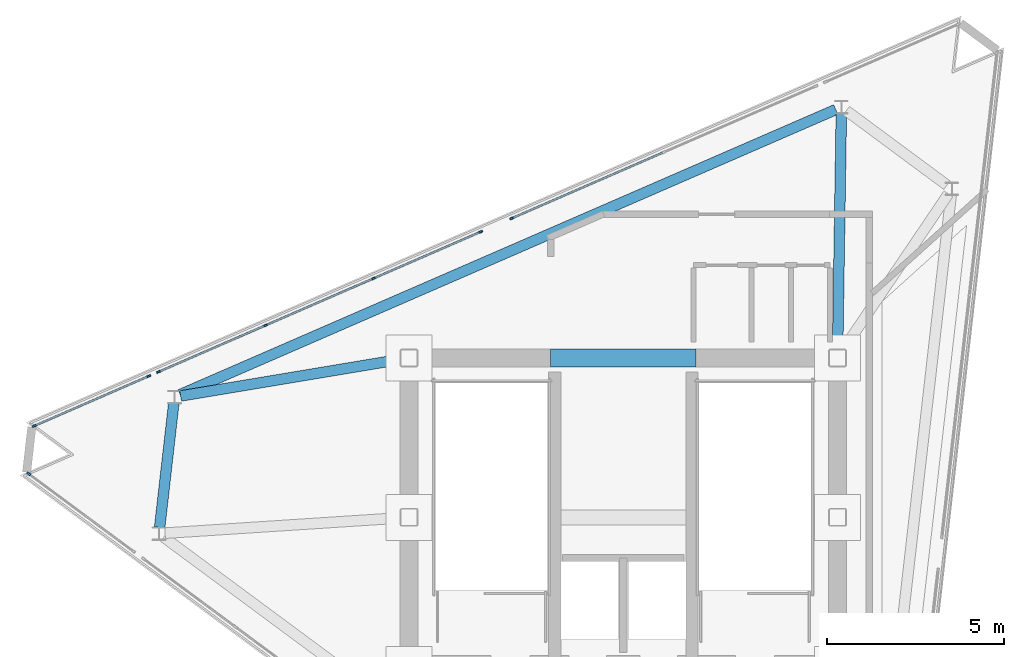
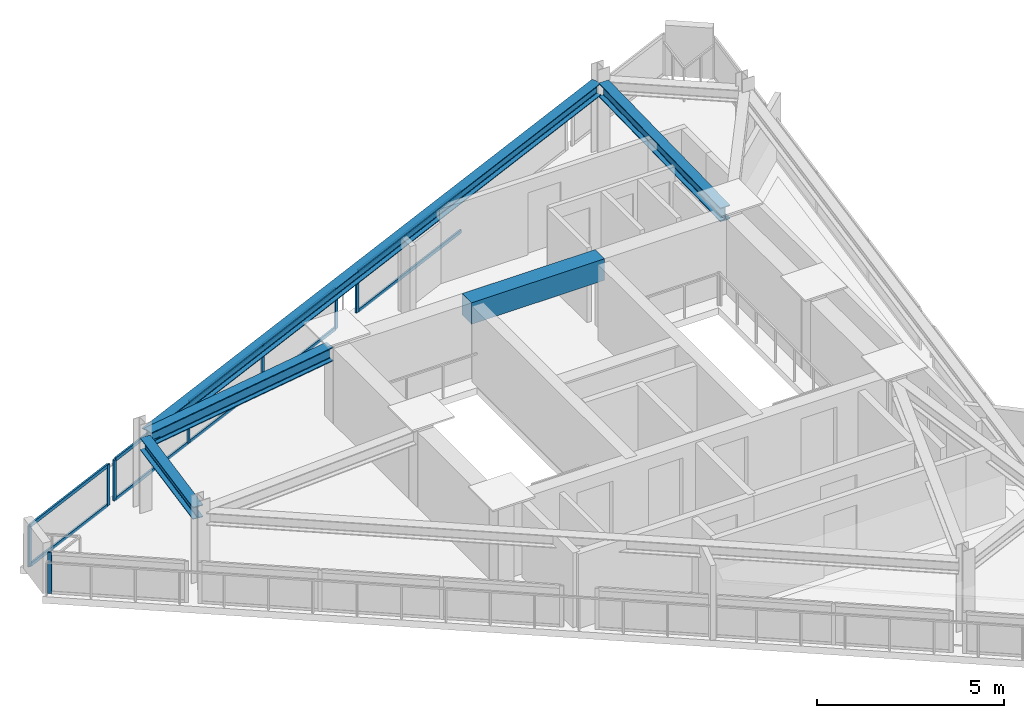
# One storey, part 4 of 9: 18 members, 5 beams, 4 elements without a shape of their own.
"""IFC4 building model written with IfcOpenShell, lengths in metres."""

from ifc_helpers import new_model, si_unit, direction, frame, origin, origin_2d, place, context, subcontext, project, spatial, rectangle, i_section, extrude, material, layer, layer_set, material_profile, profile_set, type_object, element, aggregate, save


model = new_model("IFC4")

# Units and contexts
model_context = context("Model", 3, precision=1e-05, world=origin(), true_north=direction((0.0, 1.0)))
body_context = subcontext(model_context, "Body", "Model", "MODEL_VIEW")
ifc_project = project(units=[si_unit("LENGTHUNIT", "METRE"), si_unit("AREAUNIT", "SQUARE_METRE"), si_unit("VOLUMEUNIT", "CUBIC_METRE"), si_unit("PLANEANGLEUNIT", "RADIAN"), si_unit("MASSUNIT", "GRAM", prefix="KILO")], contexts=[model_context])

# Site, building, storey
site_placement = place(None, origin())
site = spatial("IfcSite", under=ifc_project, at=site_placement, CompositionType="ELEMENT")
building_placement = place(site_placement, origin())
building = spatial("IfcBuilding", under=site, at=building_placement, Name="Rocaltana Carrier Exchange", CompositionType="ELEMENT")
storey_placement = place(building_placement, frame((0.0, 0.0, 254.8798828125)))
storey = spatial("IfcBuildingStorey", under=building, at=storey_placement, Name="L81", CompositionType="ELEMENT", Elevation=254.8798828125)

# Curtain wall, member
ifc_material_1 = material(Name="Aluminium 6063-T6", Category="aluminium")
ifc_layer = layer(ifc_material_1, 0.110107421875)
ifc_layer_set = layer_set([ifc_layer], Name="Aluminium 6063-T6")
curtain_wall_type = type_object("IfcCurtainWallType", Name="Crown Lantern Faceted Curtain Wall CW-06", PredefinedType="NOTDEFINED", material=ifc_layer_set)
curtain_wall_1_placement = place(storey_placement, origin())
curtain_wall_1 = element("IfcCurtainWall", 1, at=curtain_wall_1_placement, inside=storey, type_object=curtain_wall_type, Name="L81 CW-06 Run CW06-L81-F2S1-S2", PredefinedType="NOTDEFINED")
ifc_material_2 = material(Name="Aluminium 6063-T6", Category="aluminium")
ifc_material_profile_1 = material_profile(ifc_material_2, rectangle(XDim=0.054931640625, YDim=0.110107421875, at=origin_2d()), Name="AL-55X110")
ifc_profile_set_1 = profile_set([ifc_material_profile_1], Name="Aluminium 6063-T6")
member_type_1 = type_object("IfcMemberType", Name="CW-06 Mullion AL-55X110", PredefinedType="MULLION", material=ifc_profile_set_1)
member_1_placement = place(storey_placement, frame((-3.15087890625, 8.44384765625, 0.0), z_axis=(0.0, 0.0, 1.0), x_axis=(0.398747080502, -0.917060938974, 0.0)))
member_1 = element("IfcMember", 2, at=member_1_placement, type_object=member_type_1, Name="CW-06 mullion 3", PredefinedType="MULLION", context=body_context, shape_type="SweptSolid", body=[
    extrude(rectangle(XDim=0.054931640625, YDim=0.110107421875, at=origin_2d()), origin(), (0.0, 0.0, 1.0), 1.338134765625),
])

# Curtain wall, members
curtain_wall_2_placement = place(storey_placement, origin())
curtain_wall_2 = element("IfcCurtainWall", 3, at=curtain_wall_2_placement, inside=storey, type_object=curtain_wall_type, Name="L81 CW-06 Run CW06-L81-F2S2-S1", PredefinedType="NOTDEFINED")
member_2_placement = place(storey_placement, frame((-4.026611328125, 8.06298828125, 0.0), z_axis=(0.0, 0.0, 1.0), x_axis=(0.39875066964, -0.917059378373, 0.0)))
member_2 = element("IfcMember", 4, at=member_2_placement, type_object=member_type_1, Name="CW-06 mullion 1", PredefinedType="MULLION", context=body_context, shape_type="SweptSolid", body=[
    extrude(rectangle(XDim=0.054931640625, YDim=0.110107421875, at=origin_2d()), origin(), (0.0, 0.0, 1.0), 1.338134765625),
])
member_3_placement = place(storey_placement, frame((-7.05078125, 6.748046875, 0.0), z_axis=(0.0, 0.0, 1.0), x_axis=(0.39875066964, -0.917059378373, 0.0)))
member_3 = element("IfcMember", 5, at=member_3_placement, type_object=member_type_1, Name="CW-06 mullion 2", PredefinedType="MULLION", context=body_context, shape_type="SweptSolid", body=[
    extrude(rectangle(XDim=0.054931640625, YDim=0.110107421875, at=origin_2d()), origin(), (0.0, 0.0, 1.0), 1.338134765625),
])
member_4_placement = place(storey_placement, frame((-10.100341796875, 5.422119140625, 0.0), z_axis=(0.0, 0.0, 1.0), x_axis=(0.39875066964, -0.917059378373, 0.0)))
member_4 = element("IfcMember", 6, at=member_4_placement, type_object=member_type_1, Name="CW-06 mullion 3", PredefinedType="MULLION", context=body_context, shape_type="SweptSolid", body=[
    extrude(rectangle(XDim=0.054931640625, YDim=0.110107421875, at=origin_2d()), origin(), (0.0, 0.0, 1.0), 1.338134765625),
])
member_5_placement = place(storey_placement, frame((-13.124755859375, 4.107177734375, 0.0), z_axis=(0.0, 0.0, 1.0), x_axis=(0.39875066964, -0.917059378373, 0.0)))
member_5 = element("IfcMember", 7, at=member_5_placement, type_object=member_type_1, Name="CW-06 mullion 4", PredefinedType="MULLION", context=body_context, shape_type="SweptSolid", body=[
    extrude(rectangle(XDim=0.054931640625, YDim=0.110107421875, at=origin_2d()), origin(), (0.0, 0.0, 1.0), 1.338134765625),
])

curtain_wall_3_placement = place(storey_placement, origin())
curtain_wall_3 = element("IfcCurtainWall", 8, at=curtain_wall_3_placement, inside=storey, type_object=curtain_wall_type, Name="L81 CW-06 Run CW06-L81-F2S2-S2", PredefinedType="NOTDEFINED")
member_6_placement = place(storey_placement, frame((-13.3984375, 3.988037109375, 0.0), z_axis=(0.0, 0.0, 1.0), x_axis=(0.39877104607, -0.917050518138, 0.0)))
member_6 = element("IfcMember", 9, at=member_6_placement, type_object=member_type_1, Name="CW-06 mullion 1", PredefinedType="MULLION", context=body_context, shape_type="SweptSolid", body=[
    extrude(rectangle(XDim=0.054931640625, YDim=0.110107421875, at=origin_2d()), origin(), (0.0, 0.0, 1.0), 1.338134765625),
])
member_7_placement = place(storey_placement, frame((-16.631591796875, 2.582275390625, 0.0), z_axis=(0.0, 0.0, 1.0), x_axis=(0.39877104607, -0.917050518138, 0.0)))
member_7 = element("IfcMember", 10, at=member_7_placement, type_object=member_type_1, Name="CW-06 mullion 2", PredefinedType="MULLION", context=body_context, shape_type="SweptSolid", body=[
    extrude(rectangle(XDim=0.054931640625, YDim=0.110107421875, at=origin_2d()), origin(), (0.0, 0.0, 1.0), 1.338134765625),
])

# Curtain wall, member
curtain_wall_4_placement = place(storey_placement, origin())
curtain_wall_4 = element("IfcCurtainWall", 11, at=curtain_wall_4_placement, inside=storey, type_object=curtain_wall_type, Name="L81 CW-06 Run CW06-L81-F3S1-S1", PredefinedType="NOTDEFINED")
member_8_placement = place(storey_placement, frame((-16.7861328125, 1.225341796875, 0.0), z_axis=(0.0, 0.0, 1.0), x_axis=(0.594814224142, 0.803863196545, 0.0)))
member_8 = element("IfcMember", 12, at=member_8_placement, type_object=member_type_1, Name="CW-06 mullion 1", PredefinedType="MULLION", context=body_context, shape_type="SweptSolid", body=[
    extrude(rectangle(XDim=0.054931640625, YDim=0.110107421875, at=origin_2d()), origin(), (0.0, 0.0, 1.0), 1.338134765625),
])
aggregate(curtain_wall_4, [member_8])

# Member
ifc_material_3 = material(Name="Aluminium 6063-T6", Category="aluminium")
ifc_material_profile_2 = material_profile(ifc_material_3, rectangle(XDim=0.054931640625, YDim=0.110107421875, at=origin_2d()), Name="AL-55X110")
ifc_profile_set_2 = profile_set([ifc_material_profile_2], Name="Aluminium 6063-T6")
member_type_2 = type_object("IfcMemberType", Name="CW-06 Transom AL-55X110", PredefinedType="USERDEFINED", material=ifc_profile_set_2)
member_9_placement = place(storey_placement, frame((1.116455078125, 10.29931640625, 0.027587890625), z_axis=(-0.917057469083, -0.398755060657, 0.0), x_axis=(0.398755060657, -0.917057469083, 0.0)))
member_9 = element("IfcMember", 13, at=member_9_placement, type_object=member_type_2, Name="CW-06 transom 2.1", ObjectType="TRANSOM", PredefinedType="USERDEFINED", context=body_context, shape_type="SweptSolid", body=[
    extrude(rectangle(XDim=0.054931640625, YDim=0.110107421875, at=origin_2d()), origin(), (0.0, 0.0, 1.0), 4.62548828125),
])

member_10_placement = place(storey_placement, frame((1.116455078125, 10.29931640625, 1.310546875), z_axis=(-0.917057469083, -0.398755060657, 0.0), x_axis=(0.398755060657, -0.917057469083, 0.0)))
member_10 = element("IfcMember", 14, at=member_10_placement, type_object=member_type_2, Name="CW-06 transom 2.2", ObjectType="TRANSOM", PredefinedType="USERDEFINED", context=body_context, shape_type="SweptSolid", body=[
    extrude(rectangle(XDim=0.054931640625, YDim=0.110107421875, at=origin_2d()), origin(), (0.0, 0.0, 1.0), 4.62548828125),
])

aggregate(curtain_wall_1, [member_1, member_9, member_10])

member_11_placement = place(storey_placement, frame((-4.0517578125, 8.052001953125, 0.027587890625), z_axis=(-0.917072450104, -0.398720605513, 0.0), x_axis=(0.398720605513, -0.917072450104, 0.0)))
member_11 = element("IfcMember", 15, at=member_11_placement, type_object=member_type_2, Name="CW-06 transom 1.1", ObjectType="TRANSOM", PredefinedType="USERDEFINED", context=body_context, shape_type="SweptSolid", body=[
    extrude(rectangle(XDim=0.054931640625, YDim=0.110107421875, at=origin_2d()), origin(), (0.0, 0.0, 1.0), 3.24267578125),
])

member_12_placement = place(storey_placement, frame((-4.0517578125, 8.052001953125, 1.310546875), z_axis=(-0.917072450104, -0.398720605513, 0.0), x_axis=(0.398720605513, -0.917072450104, 0.0)))
member_12 = element("IfcMember", 16, at=member_12_placement, type_object=member_type_2, Name="CW-06 transom 1.2", ObjectType="TRANSOM", PredefinedType="USERDEFINED", context=body_context, shape_type="SweptSolid", body=[
    extrude(rectangle(XDim=0.054931640625, YDim=0.110107421875, at=origin_2d()), origin(), (0.0, 0.0, 1.0), 3.24267578125),
])

member_13_placement = place(storey_placement, frame((-7.076171875, 6.737060546875, 0.027587890625), z_axis=(-0.917066495547, -0.398734300938, 0.0), x_axis=(0.398734300938, -0.917066495547, 0.0)))
member_13 = element("IfcMember", 17, at=member_13_placement, type_object=member_type_2, Name="CW-06 transom 2.1", ObjectType="TRANSOM", PredefinedType="USERDEFINED", context=body_context, shape_type="SweptSolid", body=[
    extrude(rectangle(XDim=0.054931640625, YDim=0.110107421875, at=origin_2d()), origin(), (0.0, 0.0, 1.0), 3.270263671875),
])

member_14_placement = place(storey_placement, frame((-7.076171875, 6.737060546875, 1.310546875), z_axis=(-0.917066495547, -0.398734300938, 0.0), x_axis=(0.398734300938, -0.917066495547, 0.0)))
member_14 = element("IfcMember", 18, at=member_14_placement, type_object=member_type_2, Name="CW-06 transom 2.2", ObjectType="TRANSOM", PredefinedType="USERDEFINED", context=body_context, shape_type="SweptSolid", body=[
    extrude(rectangle(XDim=0.054931640625, YDim=0.110107421875, at=origin_2d()), origin(), (0.0, 0.0, 1.0), 3.270263671875),
])

member_15_placement = place(storey_placement, frame((-10.125732421875, 5.4111328125, 0.027587890625), z_axis=(-0.917032945893, -0.398811454384, 0.0), x_axis=(0.398811454384, -0.917032945893, 0.0)))
member_15 = element("IfcMember", 19, at=member_15_placement, type_object=member_type_2, Name="CW-06 transom 3.1", ObjectType="TRANSOM", PredefinedType="USERDEFINED", context=body_context, shape_type="SweptSolid", body=[
    extrude(rectangle(XDim=0.054931640625, YDim=0.110107421875, at=origin_2d()), origin(), (0.0, 0.0, 1.0), 3.24267578125),
])

member_16_placement = place(storey_placement, frame((-10.125732421875, 5.4111328125, 1.310546875), z_axis=(-0.917032945893, -0.398811454384, 0.0), x_axis=(0.398811454384, -0.917032945893, 0.0)))
member_16 = element("IfcMember", 20, at=member_16_placement, type_object=member_type_2, Name="CW-06 transom 3.2", ObjectType="TRANSOM", PredefinedType="USERDEFINED", context=body_context, shape_type="SweptSolid", body=[
    extrude(rectangle(XDim=0.054931640625, YDim=0.110107421875, at=origin_2d()), origin(), (0.0, 0.0, 1.0), 3.24267578125),
])

aggregate(curtain_wall_2, [member_2, member_3, member_4, member_5, member_11, member_12, member_13, member_14, member_15, member_16])

member_17_placement = place(storey_placement, frame((-13.423828125, 3.97705078125, 0.027587890625), z_axis=(-0.917039857098, -0.39879556228, 0.0), x_axis=(0.39879556228, -0.917039857098, 0.0)))
member_17 = element("IfcMember", 21, at=member_17_placement, type_object=member_type_2, Name="CW-06 transom 1.1", ObjectType="TRANSOM", PredefinedType="USERDEFINED", context=body_context, shape_type="SweptSolid", body=[
    extrude(rectangle(XDim=0.054931640625, YDim=0.110107421875, at=origin_2d()), origin(), (0.0, 0.0, 1.0), 3.470458984375),
])

member_18_placement = place(storey_placement, frame((-13.423828125, 3.97705078125, 1.310546875), z_axis=(-0.917039857098, -0.39879556228, 0.0), x_axis=(0.39879556228, -0.917039857098, 0.0)))
member_18 = element("IfcMember", 22, at=member_18_placement, type_object=member_type_2, Name="CW-06 transom 1.2", ObjectType="TRANSOM", PredefinedType="USERDEFINED", context=body_context, shape_type="SweptSolid", body=[
    extrude(rectangle(XDim=0.054931640625, YDim=0.110107421875, at=origin_2d()), origin(), (0.0, 0.0, 1.0), 3.470458984375),
])

aggregate(curtain_wall_3, [member_6, member_7, member_17, member_18])

# Beams
ifc_material_4 = material(Name="Concrete C60/75", Category="concrete")
ifc_material_profile_3 = material_profile(ifc_material_4, rectangle(XDim=0.5, YDim=0.699951171875, at=origin_2d()), Name="RC-BM-500X700")
ifc_profile_set_3 = profile_set([ifc_material_profile_3], Name="Concrete C60/75")
beam_type_1 = type_object("IfcBeamType", Name="Core Coupling Lintel 500x700", PredefinedType="LINTEL", material=ifc_profile_set_3)
beam_1_placement = place(storey_placement, frame((-2.050048828125, 4.5, 2.108154296875), z_axis=(1.0, 0.0, 0.0), x_axis=(0.0, 1.0, 0.0)))
element("IfcBeam", 23, at=beam_1_placement, inside=storey, type_object=beam_type_1, Name="L81 Core Coupling Lintel CL-N", PredefinedType="LINTEL", context=body_context, shape_type="SweptSolid", body=[
    extrude(rectangle(XDim=0.5, YDim=0.699951171875, at=origin_2d()), origin(), (0.0, 0.0, 1.0), 4.10009765625),
])
ifc_material_5 = material(Name="Steel S460", Category="steel")
ifc_material_profile_4 = material_profile(ifc_material_5, i_section(OverallWidth=0.300048828125, OverallDepth=0.449951171875, WebThickness=0.013916015625, FlangeThickness=0.02587890625, FilletRadius=0.027099609375, at=origin_2d()), Name="HEB450")
ifc_profile_set_4 = profile_set([ifc_material_profile_4], Name="Steel S460")
beam_type_2 = type_object("IfcBeamType", Name="Crown Frame Rafter HEB450", PredefinedType="BEAM", material=ifc_profile_set_4)
beam_2_placement = place(storey_placement, frame((6.0537109375, 4.741943359375, 2.233154296875), z_axis=(0.015446977979, 0.999880688318, 0.0), x_axis=(-0.999880688318, 0.015446977979, 0.0)))
element("IfcBeam", 24, at=beam_2_placement, inside=storey, type_object=beam_type_2, Name="CRG-RAD-L81-03", PredefinedType="BEAM", context=body_context, shape_type="SweptSolid", body=[
    extrude(i_section(OverallWidth=0.300048828125, OverallDepth=0.449951171875, WebThickness=0.013916015625, FlangeThickness=0.02587890625, FilletRadius=0.027099609375, at=origin_2d()), origin(), (0.0, 0.0, 1.0), 6.669677734375),
])
beam_3_placement = place(storey_placement, frame((-6.288818359375, 4.460205078125, 2.233154296875), z_axis=(-0.986396018954, -0.164386416079, 0.0), x_axis=(0.164386416079, -0.986396018954, 0.0)))
element("IfcBeam", 25, at=beam_3_placement, inside=storey, type_object=beam_type_2, Name="CRG-RAD-L81-04", PredefinedType="BEAM", context=body_context, shape_type="SweptSolid", body=[
    extrude(i_section(OverallWidth=0.300048828125, OverallDepth=0.449951171875, WebThickness=0.013916015625, FlangeThickness=0.02587890625, FilletRadius=0.027099609375, at=origin_2d()), origin(), (0.0, 0.0, 1.0), 6.298583984375),
])
ifc_material_6 = material(Name="Steel S460", Category="steel")
ifc_material_profile_5 = material_profile(ifc_material_6, i_section(OverallWidth=0.300048828125, OverallDepth=0.39990234375, WebThickness=0.013427734375, FlangeThickness=0.02392578125, FilletRadius=0.027099609375, at=origin_2d()), Name="HEB400")
ifc_profile_set_5 = profile_set([ifc_material_profile_5], Name="Steel S460")
beam_type_3 = type_object("IfcBeamType", Name="Crown Ring Beam HEB400", PredefinedType="BEAM", material=ifc_profile_set_5)
beam_4_placement = place(storey_placement, frame((5.999755859375, 11.515380859375, 2.258056640625), z_axis=(-0.917063134641, -0.398742030744, 0.0), x_axis=(0.398742030744, -0.917063134641, 0.0)))
element("IfcBeam", 26, at=beam_4_placement, inside=storey, type_object=beam_type_3, Name="CRG-RING-L81-03", PredefinedType="BEAM", context=body_context, shape_type="SweptSolid", body=[
    extrude(i_section(OverallWidth=0.300048828125, OverallDepth=0.39990234375, WebThickness=0.013427734375, FlangeThickness=0.02392578125, FilletRadius=0.027099609375, at=origin_2d()), origin(), (0.0, 0.0, 1.0), 20.18798828125),
])
beam_5_placement = place(storey_placement, frame((-12.693115234375, 3.223388671875, 2.258056640625), z_axis=(-0.11317028036, -0.993575607412, 0.0), x_axis=(0.993575607412, -0.11317028036, 0.0)))
element("IfcBeam", 27, at=beam_5_placement, inside=storey, type_object=beam_type_3, Name="CRG-RING-L81-04", PredefinedType="BEAM", context=body_context, shape_type="SweptSolid", body=[
    extrude(i_section(OverallWidth=0.300048828125, OverallDepth=0.39990234375, WebThickness=0.013427734375, FlangeThickness=0.02392578125, FilletRadius=0.027099609375, at=origin_2d()), origin(), (0.0, 0.0, 1.0), 3.531494140625),
])

save(model, "model.ifc")
